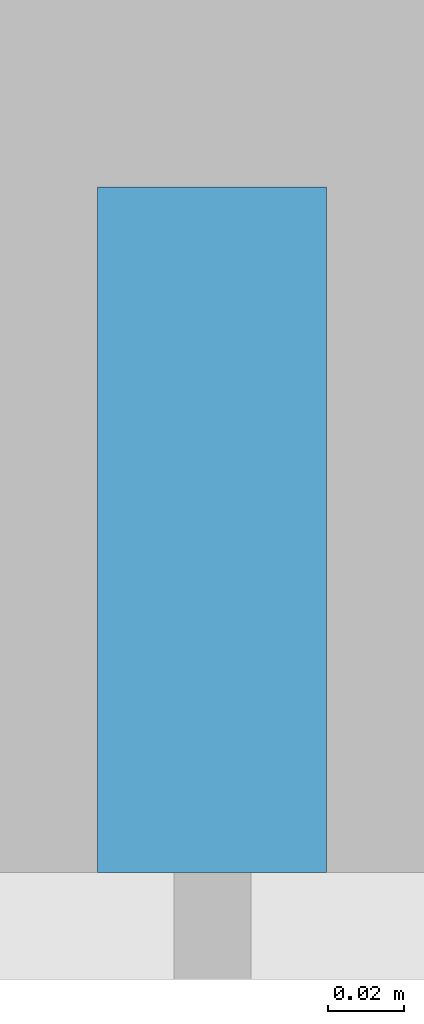
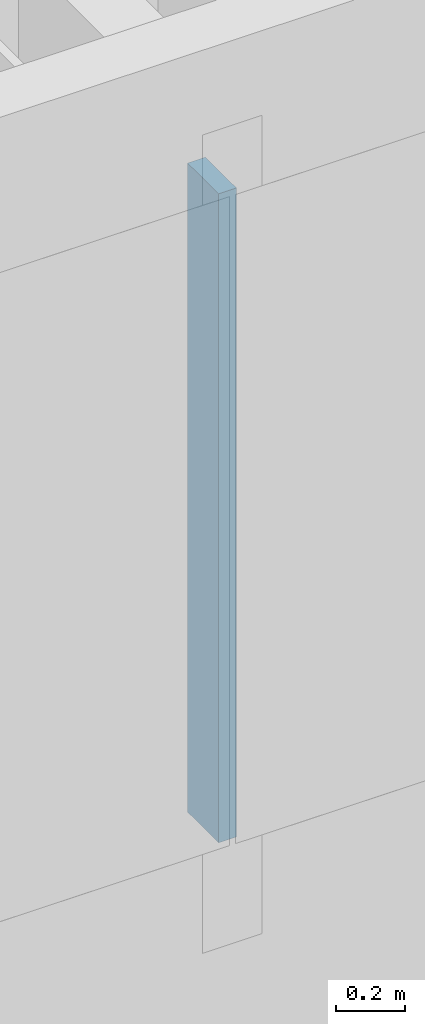
# One storey, part 6 of 29: 1 member, 1 element without a shape of its own.
"""IFC4 building model written with IfcOpenShell, lengths in metres."""

from ifc_helpers import new_model, si_unit, direction, frame, origin, origin_2d, place, context, subcontext, project, spatial, rectangle, extrude, material, layer, layer_set, material_profile, profile_set, type_object, element, aggregate, save


model = new_model("IFC4")

# Units and contexts
model_context = context("Model", 3, precision=1e-05, world=origin(), true_north=direction((0.0, 1.0)))
body_context = subcontext(model_context, "Body", "Model", "MODEL_VIEW")
ifc_project = project(units=[si_unit("LENGTHUNIT", "METRE"), si_unit("AREAUNIT", "SQUARE_METRE"), si_unit("VOLUMEUNIT", "CUBIC_METRE"), si_unit("PLANEANGLEUNIT", "RADIAN"), si_unit("MASSUNIT", "GRAM", prefix="KILO")], contexts=[model_context])

# Site, building, storey
site_placement = place(None, origin())
site = spatial("IfcSite", under=ifc_project, at=site_placement, CompositionType="ELEMENT")
building_placement = place(site_placement, origin())
building = spatial("IfcBuilding", under=site, at=building_placement, Name="Hakoniwa Tower and Hamabe Station Hall", CompositionType="ELEMENT")
storey_placement = place(building_placement, frame((0.0, 0.0, 117.0)))
storey = spatial("IfcBuildingStorey", under=building, at=storey_placement, Name="L33", CompositionType="ELEMENT", Elevation=117.0)

# Curtain wall, member
ifc_material_1 = material(Name="Dark low-e laminated glass", Category="glass")
ifc_layer = layer(ifc_material_1, 0.199951171875)
ifc_layer_set = layer_set([ifc_layer], Name="CW-1 UNITISED GUEST")
curtain_wall_type = type_object("IfcCurtainWallType", Name="CW-1 UNITISED GUEST", PredefinedType="NOTDEFINED", material=ifc_layer_set)
curtain_wall_placement = place(storey_placement, origin())
curtain_wall = element("IfcCurtainWall", 1, at=curtain_wall_placement, inside=storey, type_object=curtain_wall_type, Name="CW-1 curtain wall", PredefinedType="NOTDEFINED")
ifc_material_2 = material(Name="Aluminium 6063-T5 black anodised", Category="aluminium")
ifc_material_profile = material_profile(ifc_material_2, rectangle(XDim=0.06005859375, YDim=0.179931640625, at=origin_2d()), Name="CW-1 MULLION 60X180")
ifc_profile_set = profile_set([ifc_material_profile], Name="Aluminium 6063-T5 black anodised")
member_type = type_object("IfcMemberType", Name="CW-1 MULLION 60X180", PredefinedType="MULLION", material=ifc_profile_set)
member_placement = place(storey_placement, frame((8.39990234375, -15.431884765625, 0.35009765625), z_axis=(0.0, 0.0, 1.0), x_axis=(1.0, 0.0, 0.0)))
member = element("IfcMember", 2, at=member_placement, type_object=member_type, Name="CW-1 mullion", PredefinedType="MULLION", context=body_context, shape_type="SweptSolid", body=[
    extrude(rectangle(XDim=0.06005859375, YDim=0.179931640625, at=origin_2d()), origin(), (0.0, 0.0, 1.0), 2.2998046875),
])
aggregate(curtain_wall, [member])

save(model, "model.ifc")
